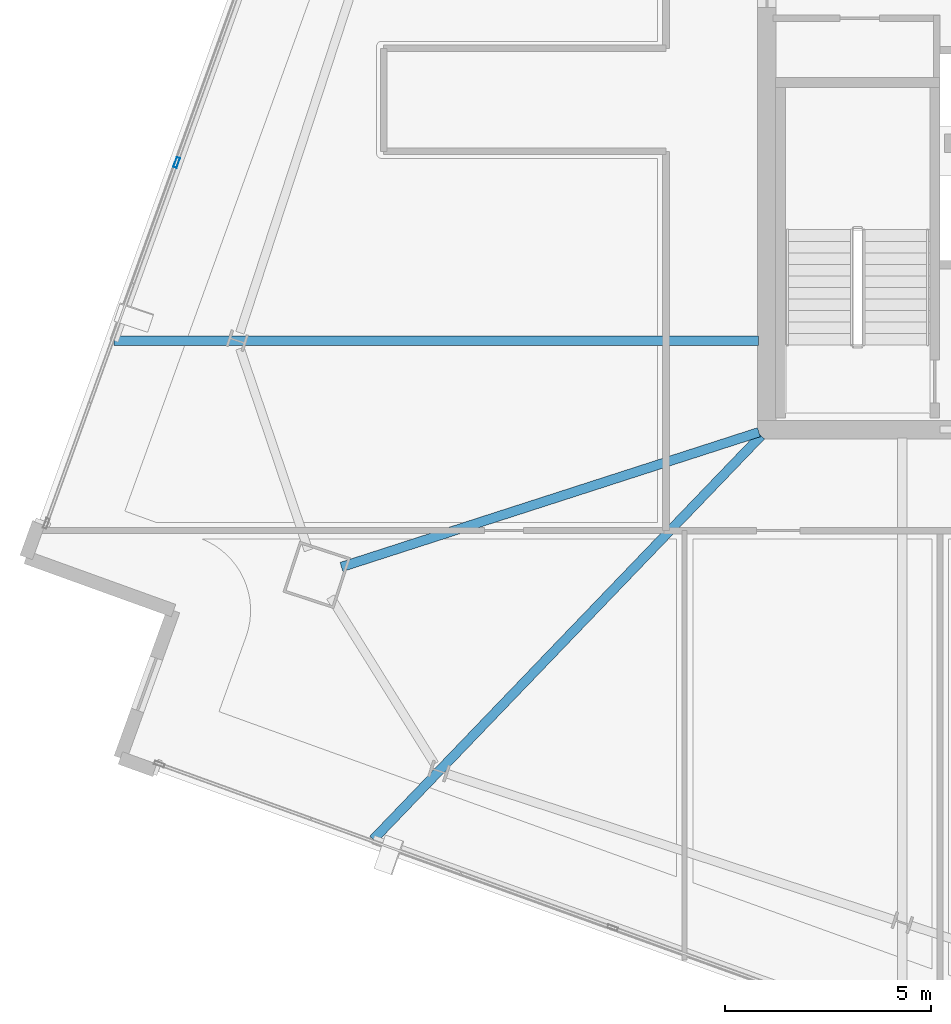
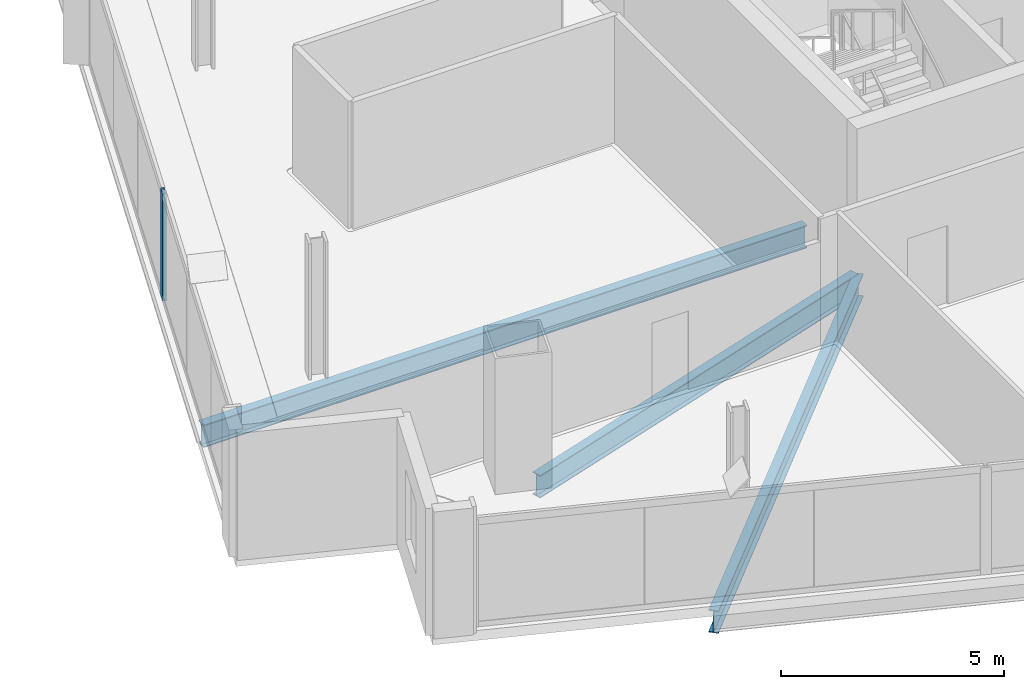
# One storey, part 6 of 27: 3 beams, 1 member, 1 element without a shape of its own.
"""IFC4 building model written with IfcOpenShell, lengths in metres."""

from ifc_helpers import new_model, si_unit, direction, frame, origin, origin_2d, place, context, subcontext, project, spatial, hollow_rectangle, i_section, extrude, material, material_profile, profile_set, type_object, element, aggregate, save


model = new_model("IFC4")

# Units and contexts
model_context = context("Model", 3, precision=1e-05, world=origin(), true_north=direction((0.0, 1.0)))
body_context = subcontext(model_context, "Body", "Model", "MODEL_VIEW")
ifc_project = project(units=[si_unit("LENGTHUNIT", "METRE"), si_unit("AREAUNIT", "SQUARE_METRE"), si_unit("VOLUMEUNIT", "CUBIC_METRE"), si_unit("PLANEANGLEUNIT", "RADIAN"), si_unit("MASSUNIT", "GRAM", prefix="KILO")], contexts=[model_context])

# Site, building, storey
site_placement = place(None, origin())
site = spatial("IfcSite", under=ifc_project, at=site_placement, CompositionType="ELEMENT")
building_placement = place(site_placement, origin())
building = spatial("IfcBuilding", under=site, at=building_placement, Name="Haldenkirk Collegiate Tower", CompositionType="ELEMENT")
storey_placement = place(building_placement, frame((0.0, 0.0, 263.699951171875)))
storey = spatial("IfcBuildingStorey", under=building, at=storey_placement, Name="L66", CompositionType="ELEMENT", Elevation=263.699951171875)

# Beams
ifc_material_1 = material(Name="Steel ASTM A992 Grade 50", Category="steel")
ifc_material_profile_1 = material_profile(ifc_material_1, i_section(OverallWidth=0.22998046875, OverallDepth=0.616943359375, WebThickness=0.01318359375, FlangeThickness=0.022216796875, at=origin_2d()), Name="W24X94")
ifc_profile_set_1 = profile_set([ifc_material_profile_1], Name="Steel ASTM A992 Grade 50")
beam_type = type_object("IfcBeamType", Name="BM-GIRDER-W24X94", PredefinedType="BEAM", material=ifc_profile_set_1)
beam_1_placement = place(storey_placement, frame((16.677001953125, 14.66796875, -0.578369140625), z_axis=(0.95165454957, 0.307170340824, 0.0), x_axis=(-0.307170340824, 0.95165454957, 0.0)))
element("IfcBeam", 1, at=beam_1_placement, inside=storey, type_object=beam_type, Name="L66 primary floor girder 04", PredefinedType="BEAM", context=body_context, shape_type="SweptSolid", body=[
    extrude(i_section(OverallWidth=0.22998046875, OverallDepth=0.616943359375, WebThickness=0.01318359375, FlangeThickness=0.022216796875, at=origin_2d()), origin(), (0.0, 0.0, 1.0), 10.642333984375),
])
beam_2_placement = place(storey_placement, frame((11.160400390625, 20.157958984375, -0.578369140625), z_axis=(1.0, 0.0, 0.0), x_axis=(0.0, 1.0, 0.0)))
element("IfcBeam", 2, at=beam_2_placement, inside=storey, type_object=beam_type, Name="L66 primary floor girder 13", PredefinedType="BEAM", context=body_context, shape_type="SweptSolid", body=[
    extrude(i_section(OverallWidth=0.22998046875, OverallDepth=0.616943359375, WebThickness=0.01318359375, FlangeThickness=0.022216796875, at=origin_2d()), origin(), (0.0, 0.0, 1.0), 15.634521484375),
])
beam_3_placement = place(storey_placement, frame((17.44580078125, 8.053955078125, -0.578369140625), z_axis=(0.692750240187, 0.721177581959, 0.0), x_axis=(-0.721177581959, 0.692750240187, 0.0)))
element("IfcBeam", 3, at=beam_3_placement, inside=storey, type_object=beam_type, Name="L66 primary floor girder 14", PredefinedType="BEAM", context=body_context, shape_type="SweptSolid", body=[
    extrude(i_section(OverallWidth=0.22998046875, OverallDepth=0.616943359375, WebThickness=0.01318359375, FlangeThickness=0.022216796875, at=origin_2d()), origin(), (0.0, 0.0, 1.0), 13.586669921875),
])

# Curtain wall, member
ifc_material_2 = material(Name="Anodised architectural bronze aluminium", Category="aluminium")
curtain_wall_type = type_object("IfcCurtainWallType", Name="CW-SYS1B-CONVEX-HI", PredefinedType="USERDEFINED", material=ifc_material_2)
curtain_wall_placement = place(storey_placement, origin())
curtain_wall = element("IfcCurtainWall", 4, at=curtain_wall_placement, inside=storey, type_object=curtain_wall_type, Name="L66 Upper tower high-wind convex bronze unitised curtain wall", ObjectType="UNITISED CURTAIN WALL", PredefinedType="USERDEFINED")
ifc_material_profile_2 = material_profile(ifc_material_2, hollow_rectangle(XDim=0.0849609375, YDim=0.25, WallThickness=0.0048828125, at=origin_2d()), Name="CW-MUL-1B")
ifc_profile_set_2 = profile_set([ifc_material_profile_2], Name="Anodised architectural bronze aluminium")
member_type = type_object("IfcMemberType", Name="CW-MUL-1B", PredefinedType="MULLION", material=ifc_profile_set_2)
member_placement = place(storey_placement, frame((12.677734375, 24.478759765625, 0.0), z_axis=(0.0, 0.0, 1.0), x_axis=(-0.940584906317, 0.339558587006, 0.0)))
member = element("IfcMember", 5, at=member_placement, type_object=member_type, Name="CW-1B mullion 2", PredefinedType="MULLION", context=body_context, shape_type="SweptSolid", body=[
    extrude(hollow_rectangle(XDim=0.0849609375, YDim=0.25, WallThickness=0.0048828125, at=origin_2d()), origin(), (0.0, 0.0, 1.0), 2.93798828125),
])
aggregate(curtain_wall, [member])

save(model, "model.ifc")
